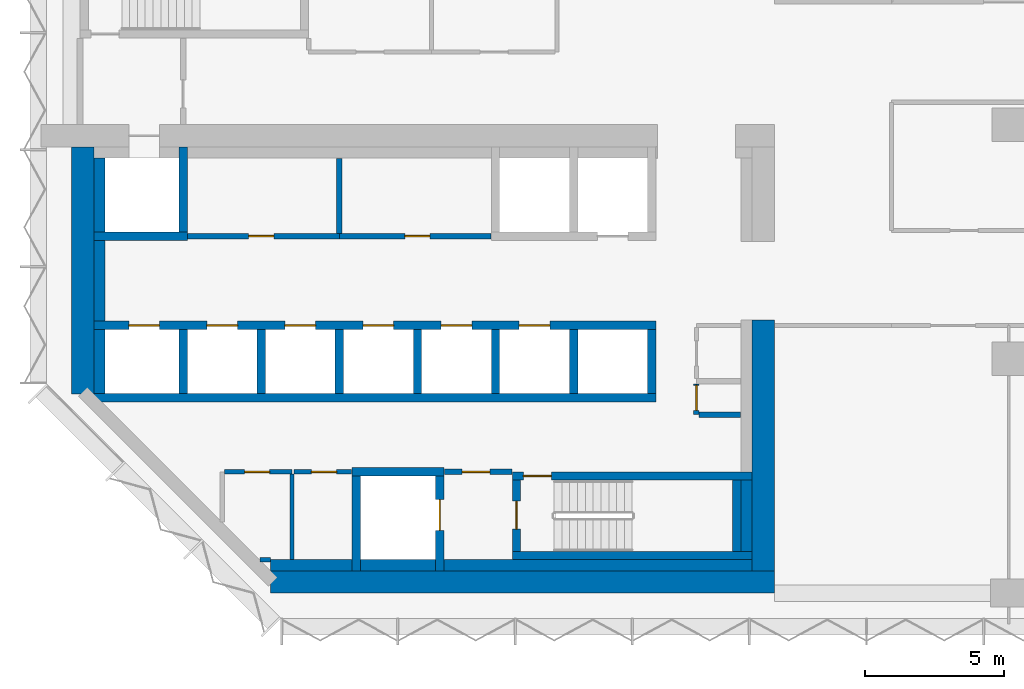
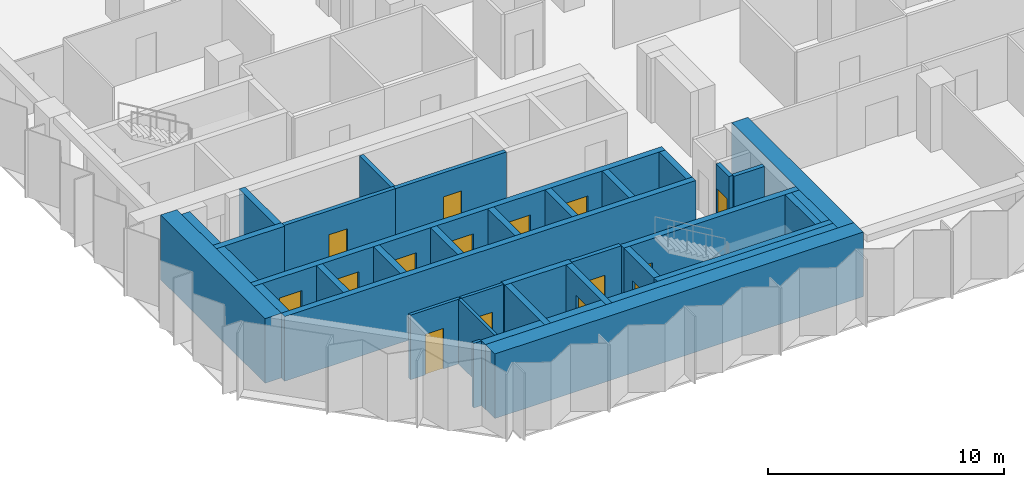
# One storey, part 7 of 13: 38 walls, 15 doors, 15 openings.
"""IFC4 building model written with IfcOpenShell, lengths in metres."""

from ifc_helpers import new_model, si_unit, direction, frame, frame_2d, origin, place, context, subcontext, project, spatial, rectangle, extrude, material, layer, layer_set, type_object, element, fill, save


model = new_model("IFC4")

# Units and contexts
model_context = context("Model", 3, precision=1e-05, world=origin(), true_north=direction((0.0, 1.0)))
body_context = subcontext(model_context, "Body", "Model", "MODEL_VIEW")
ifc_project = project(units=[si_unit("LENGTHUNIT", "METRE"), si_unit("AREAUNIT", "SQUARE_METRE"), si_unit("VOLUMEUNIT", "CUBIC_METRE"), si_unit("PLANEANGLEUNIT", "RADIAN"), si_unit("MASSUNIT", "GRAM", prefix="KILO")], contexts=[model_context])

# Site, building, storey
site_placement = place(None, origin())
site = spatial("IfcSite", under=ifc_project, at=site_placement, CompositionType="ELEMENT")
building_placement = place(site_placement, origin())
building = spatial("IfcBuilding", under=site, at=building_placement, Name="Brevane Broadcast Tower", CompositionType="ELEMENT")
storey_placement = place(building_placement, frame((0.0, 0.0, 91.699951171875)))
storey = spatial("IfcBuildingStorey", under=building, at=storey_placement, Name="L21", CompositionType="ELEMENT", Elevation=91.699951171875)

# Walls
ifc_material_1 = material(Name="Concrete C32/40", Category="concrete")
ifc_layer_1 = layer(ifc_material_1, 0.39990234375)
ifc_layer_set_1 = layer_set([ifc_layer_1], Name="Core chase wall 400 mm")
wall_type_1 = type_object("IfcWallType", Name="Core chase wall 400 mm", PredefinedType="PARTITIONING", material=ifc_layer_set_1)
wall_1_placement = place(storey_placement, frame((1.0, 7.14990234375, 0.0), z_axis=(0.0, 0.0, 1.0), x_axis=(0.0, 1.0, 0.0)))
element("IfcWall", 1, at=wall_1_placement, inside=storey, type_object=wall_type_1, Name="L21 chase wall LW-2-1", PredefinedType="PARTITIONING", context=body_context, shape_type="SweptSolid", body=[
    extrude(rectangle(XDim=2.300048828125, YDim=0.39990234375, at=frame_2d((1.14990234375, 0.0))), origin(), (0.0, 0.0, 1.0), 3.35009765625),
])
wall_2_placement = place(storey_placement, frame((1.0, 9.75, 0.0), z_axis=(0.0, 0.0, 1.0), x_axis=(0.0, 1.0, 0.0)))
element("IfcWall", 2, at=wall_2_placement, inside=storey, type_object=wall_type_1, Name="L21 chase wall LW-2-2-1", PredefinedType="PARTITIONING", context=body_context, shape_type="SweptSolid", body=[
    extrude(rectangle(XDim=2.89990234375, YDim=0.39990234375, at=frame_2d((1.449951171875, 0.0))), origin(), (0.0, 0.0, 1.0), 3.35009765625),
])
wall_3_placement = place(storey_placement, frame((1.0, 12.949951171875, 0.0), z_axis=(0.0, 0.0, 1.0), x_axis=(0.0, 1.0, 0.0)))
element("IfcWall", 3, at=wall_3_placement, inside=storey, type_object=wall_type_1, Name="L21 chase wall LW-2-2-2", PredefinedType="PARTITIONING", context=body_context, shape_type="SweptSolid", body=[
    extrude(rectangle(XDim=2.650146484375, YDim=0.39990234375, at=frame_2d((1.3251953125, 0.0))), origin(), (0.0, 0.0, 1.0), 3.35009765625),
])
wall_4_placement = place(storey_placement, frame((7.136474609375, 1.0, 0.0), z_axis=(0.0, 0.0, 1.0), x_axis=(1.0, 0.0, 0.0)))
element("IfcWall", 4, at=wall_4_placement, inside=storey, type_object=wall_type_1, Name="L21 chase wall LS-1", PredefinedType="PARTITIONING", context=body_context, shape_type="SweptSolid", body=[
    extrude(rectangle(XDim=2.91357421875, YDim=0.39990234375, at=frame_2d((1.456787109375, 0.0))), origin(), (0.0, 0.0, 1.0), 3.35009765625),
])
wall_5_placement = place(storey_placement, frame((10.35009765625, 1.0, 0.0), z_axis=(0.0, 0.0, 1.0), x_axis=(1.0, 0.0, 0.0)))
element("IfcWall", 5, at=wall_5_placement, inside=storey, type_object=wall_type_1, Name="L21 chase wall LS-2-1", PredefinedType="PARTITIONING", context=body_context, shape_type="SweptSolid", body=[
    extrude(rectangle(XDim=2.699951171875, YDim=0.39990234375, at=frame_2d((1.35009765625, 0.0))), origin(), (0.0, 0.0, 1.0), 3.35009765625),
])
wall_6_placement = place(storey_placement, frame((13.35009765625, 1.0, 0.0), z_axis=(0.0, 0.0, 1.0), x_axis=(1.0, 0.0, 0.0)))
element("IfcWall", 6, at=wall_6_placement, inside=storey, type_object=wall_type_1, Name="L21 chase wall LS-2-2", PredefinedType="PARTITIONING", context=body_context, shape_type="SweptSolid", body=[
    extrude(rectangle(XDim=11.0498046875, YDim=0.39990234375, at=frame_2d((5.52490234375, 0.0))), origin(), (0.0, 0.0, 1.0), 3.35009765625),
])
wall_7_placement = place(storey_placement, frame((24.199951171875, 1.5, 0.0), z_axis=(0.0, 0.0, 1.0), x_axis=(0.0, 1.0, 0.0)))
element("IfcWall", 7, at=wall_7_placement, inside=storey, type_object=wall_type_1, Name="L21 chase wall LE1-2-1", PredefinedType="PARTITIONING", context=body_context, shape_type="SweptSolid", body=[
    extrude(rectangle(XDim=2.550048828125, YDim=0.39990234375, at=frame_2d((1.27490234375, 0.0))), origin(), (0.0, 0.0, 1.0), 3.35009765625),
])

# Wall, opening, door
ifc_material_2 = material(Name="Gypsum board on steel studs", Category="steel")
ifc_layer_2 = layer(ifc_material_2, 0.14990234375)
ifc_layer_set_2 = layer_set([ifc_layer_2], Name="Core fire partition 150 mm")
wall_type_2 = type_object("IfcWallType", Name="Core fire partition 150 mm", PredefinedType="PARTITIONING", material=ifc_layer_set_2)
wall_8_placement = place(storey_placement, frame((5.47509765625, 4.35009765625, 0.0), z_axis=(0.0, 0.0, 1.0), x_axis=(1.0, 0.0, 0.0)))
wall_8 = element("IfcWall", 8, at=wall_8_placement, inside=storey, type_object=wall_type_2, Name="L21 partition wall P11", PredefinedType="PARTITIONING", context=body_context, shape_type="SweptSolid", body=[
    extrude(rectangle(XDim=2.4248046875, YDim=0.14990234375, at=frame_2d((1.21240234375, 0.0))), origin(), (0.0, 0.0, 1.0), 3.35009765625),
])
opening_1_placement = place(wall_8_placement, frame((0.72509765625, 0.0, 0.0)))
opening_1 = element("IfcOpeningElement", 9, at=opening_1_placement, cuts=wall_8, Name="Opening L21-K16", PredefinedType="OPENING", context=body_context, shape_type="SweptSolid", body=[
    extrude(rectangle(XDim=0.89990234375, YDim=2.10009765625, at=frame_2d((0.449951171875, 1.050048828125))), frame((0.0, 0.0849609375, 0.0), z_axis=(0.0, -1.0, 0.0), x_axis=(1.0, 0.0, 0.0)), (0.0, 0.0, 1.0), 0.169921875),
])
ifc_material_3 = material(Name="Timber", Category="wood")
door_type_1 = type_object("IfcDoorType", Name="Toilet door 900 x 2100", OperationType="SINGLE_SWING_LEFT", PredefinedType="DOOR", material=ifc_material_3)
door_1_placement = place(opening_1_placement, origin())
door_1 = element("IfcDoor", 10, at=door_1_placement, inside=storey, type_object=door_type_1, Name="Door L21-K16", OperationType="SINGLE_SWING_RIGHT", OverallHeight=2.10009765625, OverallWidth=0.89990234375, PredefinedType="DOOR", context=body_context, shape_type="SweptSolid", body=[
    extrude(rectangle(XDim=0.89990234375, YDim=2.10009765625, at=frame_2d((0.449951171875, 1.050048828125))), frame((0.0, 0.02490234375, 0.0), z_axis=(0.0, -1.0, 0.0), x_axis=(1.0, 0.0, 0.0)), (0.0, 0.0, 1.0), 0.050048828125),
])
fill(opening_1, door_1)

# Walls
wall_9_placement = place(storey_placement, frame((7.89990234375, 4.27490234375, 0.0), z_axis=(0.0, 0.0, 1.0), x_axis=(0.0, -1.0, 0.0)))
element("IfcWall", 11, at=wall_9_placement, inside=storey, type_object=wall_type_2, Name="L21 partition wall P12", PredefinedType="PARTITIONING", context=body_context, shape_type="SweptSolid", body=[
    extrude(rectangle(XDim=3.06298828125, YDim=0.14990234375, at=frame_2d((1.531494140625, 0.0))), origin(), (0.0, 0.0, 1.0), 3.35009765625),
])
wall_10_placement = place(storey_placement, frame((7.12451171875, 1.199951171875, 0.0), z_axis=(0.0, 0.0, 1.0), x_axis=(-1.0, 0.0, 0.0)))
element("IfcWall", 12, at=wall_10_placement, inside=storey, type_object=wall_type_2, Name="L21 partition wall P13", PredefinedType="PARTITIONING", context=body_context, shape_type="SweptSolid", body=[
    extrude(rectangle(XDim=0.37109375, YDim=0.14990234375, at=frame_2d((0.185546875, 0.0))), origin(), (0.0, 0.0, 1.0), 3.35009765625),
])

# Wall, opening, door
wall_11_placement = place(storey_placement, frame((10.0380859375, 4.35009765625, 0.0), z_axis=(0.0, 0.0, 1.0), x_axis=(-1.0, 0.0, 0.0)))
wall_11 = element("IfcWall", 13, at=wall_11_placement, inside=storey, type_object=wall_type_2, Name="L21 partition wall P14", PredefinedType="PARTITIONING", context=body_context, shape_type="SweptSolid", body=[
    extrude(rectangle(XDim=2.06298828125, YDim=0.14990234375, at=frame_2d((1.031494140625, 0.0))), origin(), (0.0, 0.0, 1.0), 3.35009765625),
])
opening_2_placement = place(wall_11_placement, frame((0.5380859375, 0.0, 0.0)))
opening_2 = element("IfcOpeningElement", 14, at=opening_2_placement, cuts=wall_11, Name="Opening L21-K17", PredefinedType="OPENING", context=body_context, shape_type="SweptSolid", body=[
    extrude(rectangle(XDim=0.89990234375, YDim=2.10009765625, at=frame_2d((0.449951171875, 1.050048828125))), frame((0.0, 0.0849609375, 0.0), z_axis=(0.0, -1.0, 0.0), x_axis=(1.0, 0.0, 0.0)), (0.0, 0.0, 1.0), 0.169921875),
])
door_2_placement = place(opening_2_placement, origin())
door_2 = element("IfcDoor", 15, at=door_2_placement, inside=storey, type_object=door_type_1, Name="Door L21-K17", OperationType="SINGLE_SWING_LEFT", OverallHeight=2.10009765625, OverallWidth=0.89990234375, PredefinedType="DOOR", context=body_context, shape_type="SweptSolid", body=[
    extrude(rectangle(XDim=0.89990234375, YDim=2.10009765625, at=frame_2d((0.449951171875, 1.050048828125))), frame((0.0, 0.02490234375, 0.0), z_axis=(0.0, -1.0, 0.0), x_axis=(1.0, 0.0, 0.0)), (0.0, 0.0, 1.0), 0.050048828125),
])
fill(opening_2, door_2)

ifc_layer_3 = layer(ifc_material_2, 0.199951171875)
ifc_layer_set_3 = layer_set([ifc_layer_3], Name="Core fire partition 200 mm")
wall_type_3 = type_object("IfcWallType", Name="Core fire partition 200 mm", PredefinedType="PARTITIONING", material=ifc_layer_set_3)
wall_12_placement = place(storey_placement, frame((13.362060546875, 4.35009765625, 0.0), z_axis=(0.0, 0.0, 1.0), x_axis=(1.0, 0.0, 0.0)))
wall_12 = element("IfcWall", 16, at=wall_12_placement, inside=storey, type_object=wall_type_3, Name="L21 partition wall P03", PredefinedType="PARTITIONING", context=body_context, shape_type="SweptSolid", body=[
    extrude(rectangle(XDim=2.426025390625, YDim=0.199951171875, at=frame_2d((1.212890625, 0.0))), origin(), (0.0, 0.0, 1.0), 3.35009765625),
])
opening_3_placement = place(wall_12_placement, frame((0.637939453125, 0.0, 0.0)))
opening_3 = element("IfcOpeningElement", 17, at=opening_3_placement, cuts=wall_12, Name="Opening L21-K18", PredefinedType="OPENING", context=body_context, shape_type="SweptSolid", body=[
    extrude(rectangle(XDim=1.0, YDim=2.10009765625, at=frame_2d((0.5, 1.050048828125))), frame((0.0, 0.10986328125, 0.0), z_axis=(0.0, -1.0, 0.0), x_axis=(1.0, 0.0, 0.0)), (0.0, 0.0, 1.0), 0.219970703125),
])
ifc_material_4 = material(Name="Steel", Category="steel")
door_type_2 = type_object("IfcDoorType", Name="Stair door 1000 x 2100", OperationType="SINGLE_SWING_LEFT", PredefinedType="DOOR", material=ifc_material_4)
door_3_placement = place(opening_3_placement, origin())
door_3 = element("IfcDoor", 18, at=door_3_placement, inside=storey, type_object=door_type_2, Name="Door L21-K18", OperationType="SINGLE_SWING_RIGHT", OverallHeight=2.10009765625, OverallWidth=1.0, PredefinedType="DOOR", context=body_context, shape_type="SweptSolid", body=[
    extrude(rectangle(XDim=1.0, YDim=2.10009765625, at=frame_2d((0.5, 1.050048828125))), frame((0.0, 0.02490234375, 0.0), z_axis=(0.0, -1.0, 0.0), x_axis=(1.0, 0.0, 0.0)), (0.0, 0.0, 1.0), 0.050048828125),
])
fill(opening_3, door_3)

wall_13_placement = place(storey_placement, frame((4.162109375, 12.800048828125, 0.0), z_axis=(0.0, 0.0, 1.0), x_axis=(1.0, 0.0, 0.0)))
wall_13 = element("IfcWall", 19, at=wall_13_placement, inside=storey, type_object=wall_type_3, Name="L21 partition wall P04", PredefinedType="PARTITIONING", context=body_context, shape_type="SweptSolid", body=[
    extrude(rectangle(XDim=5.43798828125, YDim=0.199951171875, at=frame_2d((2.718994140625, 0.0))), origin(), (0.0, 0.0, 1.0), 3.35009765625),
])
opening_4_placement = place(wall_13_placement, frame((2.18798828125, 0.0, 0.0)))
opening_4 = element("IfcOpeningElement", 20, at=opening_4_placement, cuts=wall_13, Name="Opening L21-K21", PredefinedType="OPENING", context=body_context, shape_type="SweptSolid", body=[
    extrude(rectangle(XDim=0.89990234375, YDim=2.10009765625, at=frame_2d((0.449951171875, 1.050048828125))), frame((0.0, 0.10986328125, 0.0), z_axis=(0.0, -1.0, 0.0), x_axis=(1.0, 0.0, 0.0)), (0.0, 0.0, 1.0), 0.219970703125),
])
door_type_3 = type_object("IfcDoorType", Name="Service room door 900 x 2100", OperationType="SINGLE_SWING_LEFT", PredefinedType="DOOR", material=ifc_material_4)
door_4_placement = place(opening_4_placement, origin())
door_4 = element("IfcDoor", 21, at=door_4_placement, inside=storey, type_object=door_type_3, Name="Door L21-K21", OperationType="SINGLE_SWING_LEFT", OverallHeight=2.10009765625, OverallWidth=0.89990234375, PredefinedType="DOOR", context=body_context, shape_type="SweptSolid", body=[
    extrude(rectangle(XDim=0.89990234375, YDim=2.10009765625, at=frame_2d((0.449951171875, 1.050048828125))), frame((0.0, 0.02490234375, 0.0), z_axis=(0.0, -1.0, 0.0), x_axis=(1.0, 0.0, 0.0)), (0.0, 0.0, 1.0), 0.050048828125),
])
fill(opening_4, door_4)

wall_14_placement = place(storey_placement, frame((9.60009765625, 12.800048828125, 0.0), z_axis=(0.0, 0.0, 1.0), x_axis=(1.0, 0.0, 0.0)))
wall_14 = element("IfcWall", 22, at=wall_14_placement, inside=storey, type_object=wall_type_3, Name="L21 partition wall P05", PredefinedType="PARTITIONING", context=body_context, shape_type="SweptSolid", body=[
    extrude(rectangle(XDim=5.43798828125, YDim=0.199951171875, at=frame_2d((2.718994140625, 0.0))), origin(), (0.0, 0.0, 1.0), 3.35009765625),
])
opening_5_placement = place(wall_14_placement, frame((2.35009765625, 0.0, 0.0)))
opening_5 = element("IfcOpeningElement", 23, at=opening_5_placement, cuts=wall_14, Name="Opening L21-K22", PredefinedType="OPENING", context=body_context, shape_type="SweptSolid", body=[
    extrude(rectangle(XDim=0.89990234375, YDim=2.10009765625, at=frame_2d((0.449951171875, 1.050048828125))), frame((0.0, 0.10986328125, 0.0), z_axis=(0.0, -1.0, 0.0), x_axis=(1.0, 0.0, 0.0)), (0.0, 0.0, 1.0), 0.219970703125),
])
door_5_placement = place(opening_5_placement, origin())
door_5 = element("IfcDoor", 24, at=door_5_placement, inside=storey, type_object=door_type_3, Name="Door L21-K22", OperationType="SINGLE_SWING_RIGHT", OverallHeight=2.10009765625, OverallWidth=0.89990234375, PredefinedType="DOOR", context=body_context, shape_type="SweptSolid", body=[
    extrude(rectangle(XDim=0.89990234375, YDim=2.10009765625, at=frame_2d((0.449951171875, 1.050048828125))), frame((0.0, 0.02490234375, 0.0), z_axis=(0.0, -1.0, 0.0), x_axis=(1.0, 0.0, 0.0)), (0.0, 0.0, 1.0), 0.050048828125),
])
fill(opening_5, door_5)

# Wall
wall_15_placement = place(storey_placement, frame((9.60009765625, 15.587890625, 0.0), z_axis=(0.0, 0.0, 1.0), x_axis=(0.0, -1.0, 0.0)))
element("IfcWall", 25, at=wall_15_placement, inside=storey, type_object=wall_type_3, Name="L21 partition wall P06", PredefinedType="PARTITIONING", context=body_context, shape_type="SweptSolid", body=[
    extrude(rectangle(XDim=2.68798828125, YDim=0.199951171875, at=frame_2d((1.343994140625, 0.0))), origin(), (0.0, 0.0, 1.0), 3.35009765625),
])

# Wall, opening, door
wall_16_placement = place(storey_placement, frame((22.39990234375, 7.5, 0.0), z_axis=(0.0, 0.0, 1.0), x_axis=(0.0, -1.0, 0.0)))
wall_16 = element("IfcWall", 26, at=wall_16_placement, inside=storey, type_object=wall_type_3, Name="L21 partition wall P08", PredefinedType="PARTITIONING", context=body_context, shape_type="SweptSolid", body=[
    extrude(rectangle(XDim=1.10009765625, YDim=0.199951171875, at=frame_2d((0.550048828125, 0.0))), origin(), (0.0, 0.0, 1.0), 3.35009765625),
])
opening_6_placement = place(wall_16_placement, frame((0.050048828125, 0.0, 0.0)))
opening_6 = element("IfcOpeningElement", 27, at=opening_6_placement, cuts=wall_16, Name="Opening L21-K19", PredefinedType="OPENING", context=body_context, shape_type="SweptSolid", body=[
    extrude(rectangle(XDim=0.89990234375, YDim=2.10009765625, at=frame_2d((0.449951171875, 1.050048828125))), frame((0.0, 0.10986328125, 0.0), z_axis=(0.0, -1.0, 0.0), x_axis=(1.0, 0.0, 0.0)), (0.0, 0.0, 1.0), 0.219970703125),
])
door_6_placement = place(opening_6_placement, origin())
door_6 = element("IfcDoor", 28, at=door_6_placement, inside=storey, type_object=door_type_3, Name="Door L21-K19", OperationType="SINGLE_SWING_LEFT", OverallHeight=2.10009765625, OverallWidth=0.89990234375, PredefinedType="DOOR", context=body_context, shape_type="SweptSolid", body=[
    extrude(rectangle(XDim=0.89990234375, YDim=2.10009765625, at=frame_2d((0.449951171875, 1.050048828125))), frame((0.0, 0.02490234375, 0.0), z_axis=(0.0, -1.0, 0.0), x_axis=(1.0, 0.0, 0.0)), (0.0, 0.0, 1.0), 0.050048828125),
])
fill(opening_6, door_6)

# Walls
wall_17_placement = place(storey_placement, frame((22.5, 6.39990234375, 0.0), z_axis=(0.0, 0.0, 1.0), x_axis=(1.0, 0.0, 0.0)))
element("IfcWall", 29, at=wall_17_placement, inside=storey, type_object=wall_type_3, Name="L21 partition wall P09", PredefinedType="PARTITIONING", context=body_context, shape_type="SweptSolid", body=[
    extrude(rectangle(XDim=1.488037109375, YDim=0.199951171875, at=frame_2d((0.744140625, 0.0))), origin(), (0.0, 0.0, 1.0), 3.35009765625),
])
ifc_material_5 = material(Name="Concrete C60/75", Category="concrete")
ifc_layer_4 = layer(ifc_material_5, 0.300048828125)
ifc_layer_set_4 = layer_set([ifc_layer_4], Name="Core wall 300 mm C60/75")
wall_type_4 = type_object("IfcWallType", Name="Core wall 300 mm C60/75", PredefinedType="SHEAR", material=ifc_layer_set_4)
wall_18_placement = place(storey_placement, frame((0.800048828125, 7.0, 0.0), z_axis=(0.0, 0.0, 1.0), x_axis=(1.0, 0.0, 0.0)))
element("IfcWall", 30, at=wall_18_placement, inside=storey, type_object=wall_type_4, Name="L21 shaft wall SH-S012-back", PredefinedType="SHEAR", context=body_context, shape_type="SweptSolid", body=[
    extrude(rectangle(XDim=20.14990234375, YDim=0.300048828125, at=frame_2d((10.074951171875, 0.0))), origin(), (0.0, 0.0, 1.0), 3.35009765625),
])

# Wall, openings, doors
wall_19_placement = place(storey_placement, frame((0.800048828125, 9.60009765625, 0.0), z_axis=(0.0, 0.0, 1.0), x_axis=(1.0, 0.0, 0.0)))
wall_19 = element("IfcWall", 31, at=wall_19_placement, inside=storey, type_object=wall_type_4, Name="L21 shaft wall SH-S012-front", PredefinedType="SHEAR", context=body_context, shape_type="SweptSolid", body=[
    extrude(rectangle(XDim=20.14990234375, YDim=0.300048828125, at=frame_2d((10.074951171875, 0.0))), origin(), (0.0, 0.0, 1.0), 3.35009765625),
])
opening_7_placement = place(wall_19_placement, frame((1.25, 0.0, 0.0)))
opening_7 = element("IfcOpeningElement", 32, at=opening_7_placement, cuts=wall_19, Name="Opening LD", PredefinedType="OPENING", context=body_context, shape_type="SweptSolid", body=[
    extrude(rectangle(XDim=1.10009765625, YDim=2.300048828125, at=frame_2d((0.550048828125, 1.14990234375))), frame((0.0, 0.159912109375, 0.0), z_axis=(0.0, -1.0, 0.0), x_axis=(1.0, 0.0, 0.0)), (0.0, 0.0, 1.0), 0.320068359375),
])
opening_8_placement = place(wall_19_placement, frame((4.050048828125, 0.0, 0.0)))
opening_8 = element("IfcOpeningElement", 33, at=opening_8_placement, cuts=wall_19, Name="Opening LD", PredefinedType="OPENING", context=body_context, shape_type="SweptSolid", body=[
    extrude(rectangle(XDim=1.10009765625, YDim=2.300048828125, at=frame_2d((0.550048828125, 1.14990234375))), frame((0.0, 0.159912109375, 0.0), z_axis=(0.0, -1.0, 0.0), x_axis=(1.0, 0.0, 0.0)), (0.0, 0.0, 1.0), 0.320068359375),
])
opening_9_placement = place(wall_19_placement, frame((6.85009765625, 0.0, 0.0)))
opening_9 = element("IfcOpeningElement", 34, at=opening_9_placement, cuts=wall_19, Name="Opening LD", PredefinedType="OPENING", context=body_context, shape_type="SweptSolid", body=[
    extrude(rectangle(XDim=1.10009765625, YDim=2.300048828125, at=frame_2d((0.550048828125, 1.14990234375))), frame((0.0, 0.159912109375, 0.0), z_axis=(0.0, -1.0, 0.0), x_axis=(1.0, 0.0, 0.0)), (0.0, 0.0, 1.0), 0.320068359375),
])
opening_10_placement = place(wall_19_placement, frame((9.64990234375, 0.0, 0.0)))
opening_10 = element("IfcOpeningElement", 35, at=opening_10_placement, cuts=wall_19, Name="Opening LD", PredefinedType="OPENING", context=body_context, shape_type="SweptSolid", body=[
    extrude(rectangle(XDim=1.10009765625, YDim=2.300048828125, at=frame_2d((0.550048828125, 1.14990234375))), frame((0.0, 0.159912109375, 0.0), z_axis=(0.0, -1.0, 0.0), x_axis=(1.0, 0.0, 0.0)), (0.0, 0.0, 1.0), 0.320068359375),
])
opening_11_placement = place(wall_19_placement, frame((12.449951171875, 0.0, 0.0)))
opening_11 = element("IfcOpeningElement", 36, at=opening_11_placement, cuts=wall_19, Name="Opening LD", PredefinedType="OPENING", context=body_context, shape_type="SweptSolid", body=[
    extrude(rectangle(XDim=1.10009765625, YDim=2.300048828125, at=frame_2d((0.550048828125, 1.14990234375))), frame((0.0, 0.159912109375, 0.0), z_axis=(0.0, -1.0, 0.0), x_axis=(1.0, 0.0, 0.0)), (0.0, 0.0, 1.0), 0.320068359375),
])
opening_12_placement = place(wall_19_placement, frame((15.25, 0.0, 0.0)))
opening_12 = element("IfcOpeningElement", 37, at=opening_12_placement, cuts=wall_19, Name="Opening LD", PredefinedType="OPENING", context=body_context, shape_type="SweptSolid", body=[
    extrude(rectangle(XDim=1.10009765625, YDim=2.300048828125, at=frame_2d((0.550048828125, 1.14990234375))), frame((0.0, 0.159912109375, 0.0), z_axis=(0.0, -1.0, 0.0), x_axis=(1.0, 0.0, 0.0)), (0.0, 0.0, 1.0), 0.320068359375),
])
ifc_material_6 = material(Name="Stainless steel", Category="steel")
door_type_4 = type_object("IfcDoorType", Name="Lift landing door", OperationType="SLIDING_TO_LEFT", PredefinedType="DOOR", material=ifc_material_6)
door_7_placement = place(opening_7_placement, origin())
door_7 = element("IfcDoor", 38, at=door_7_placement, inside=storey, type_object=door_type_4, Name="Landing door LR1 L21", OperationType="SLIDING_TO_LEFT", OverallHeight=2.300048828125, OverallWidth=1.10009765625, PredefinedType="DOOR", context=body_context, shape_type="SweptSolid", body=[
    extrude(rectangle(XDim=1.10009765625, YDim=2.300048828125, at=frame_2d((0.550048828125, 1.14990234375))), frame((0.0, 0.02490234375, 0.0), z_axis=(0.0, -1.0, 0.0), x_axis=(1.0, 0.0, 0.0)), (0.0, 0.0, 1.0), 0.050048828125),
])
fill(opening_7, door_7)
door_8_placement = place(opening_8_placement, origin())
door_8 = element("IfcDoor", 39, at=door_8_placement, inside=storey, type_object=door_type_4, Name="Landing door LR2 L21", OperationType="SLIDING_TO_LEFT", OverallHeight=2.300048828125, OverallWidth=1.10009765625, PredefinedType="DOOR", context=body_context, shape_type="SweptSolid", body=[
    extrude(rectangle(XDim=1.10009765625, YDim=2.300048828125, at=frame_2d((0.550048828125, 1.14990234375))), frame((0.0, 0.02490234375, 0.0), z_axis=(0.0, -1.0, 0.0), x_axis=(1.0, 0.0, 0.0)), (0.0, 0.0, 1.0), 0.050048828125),
])
fill(opening_8, door_8)
door_9_placement = place(opening_9_placement, origin())
door_9 = element("IfcDoor", 40, at=door_9_placement, inside=storey, type_object=door_type_4, Name="Landing door LR3 L21", OperationType="SLIDING_TO_LEFT", OverallHeight=2.300048828125, OverallWidth=1.10009765625, PredefinedType="DOOR", context=body_context, shape_type="SweptSolid", body=[
    extrude(rectangle(XDim=1.10009765625, YDim=2.300048828125, at=frame_2d((0.550048828125, 1.14990234375))), frame((0.0, 0.02490234375, 0.0), z_axis=(0.0, -1.0, 0.0), x_axis=(1.0, 0.0, 0.0)), (0.0, 0.0, 1.0), 0.050048828125),
])
fill(opening_9, door_9)
door_10_placement = place(opening_10_placement, origin())
door_10 = element("IfcDoor", 41, at=door_10_placement, inside=storey, type_object=door_type_4, Name="Landing door LR4 L21", OperationType="SLIDING_TO_LEFT", OverallHeight=2.300048828125, OverallWidth=1.10009765625, PredefinedType="DOOR", context=body_context, shape_type="SweptSolid", body=[
    extrude(rectangle(XDim=1.10009765625, YDim=2.300048828125, at=frame_2d((0.550048828125, 1.14990234375))), frame((0.0, 0.02490234375, 0.0), z_axis=(0.0, -1.0, 0.0), x_axis=(1.0, 0.0, 0.0)), (0.0, 0.0, 1.0), 0.050048828125),
])
fill(opening_10, door_10)
door_11_placement = place(opening_11_placement, origin())
door_11 = element("IfcDoor", 42, at=door_11_placement, inside=storey, type_object=door_type_4, Name="Landing door LR5 L21", OperationType="SLIDING_TO_LEFT", OverallHeight=2.300048828125, OverallWidth=1.10009765625, PredefinedType="DOOR", context=body_context, shape_type="SweptSolid", body=[
    extrude(rectangle(XDim=1.10009765625, YDim=2.300048828125, at=frame_2d((0.550048828125, 1.14990234375))), frame((0.0, 0.02490234375, 0.0), z_axis=(0.0, -1.0, 0.0), x_axis=(1.0, 0.0, 0.0)), (0.0, 0.0, 1.0), 0.050048828125),
])
fill(opening_11, door_11)
door_12_placement = place(opening_12_placement, origin())
door_12 = element("IfcDoor", 43, at=door_12_placement, inside=storey, type_object=door_type_4, Name="Landing door LR6 L21", OperationType="SLIDING_TO_LEFT", OverallHeight=2.300048828125, OverallWidth=1.10009765625, PredefinedType="DOOR", context=body_context, shape_type="SweptSolid", body=[
    extrude(rectangle(XDim=1.10009765625, YDim=2.300048828125, at=frame_2d((0.550048828125, 1.14990234375))), frame((0.0, 0.02490234375, 0.0), z_axis=(0.0, -1.0, 0.0), x_axis=(1.0, 0.0, 0.0)), (0.0, 0.0, 1.0), 0.050048828125),
])
fill(opening_12, door_12)

# Walls
for number, where, z_axis, x_axis, name in (
    (44, (4.0, 7.14990234375, 0.0), (0.0, 0.0, 1.0), (0.0, 1.0, 0.0), "L21 shaft wall SH-S-P040"),
    (45, (6.800048828125, 7.14990234375, 0.0), (0.0, 0.0, 1.0), (0.0, 1.0, 0.0), "L21 shaft wall SH-S-P068"),
    (46, (9.60009765625, 7.14990234375, 0.0), (0.0, 0.0, 1.0), (0.0, 1.0, 0.0), "L21 shaft wall SH-S-P096"),
    (47, (12.39990234375, 7.14990234375, 0.0), (0.0, 0.0, 1.0), (0.0, 1.0, 0.0), "L21 shaft wall SH-S-P124"),
    (48, (15.199951171875, 7.14990234375, 0.0), (0.0, 0.0, 1.0), (0.0, 1.0, 0.0), "L21 shaft wall SH-S-P152"),
    (49, (18.0, 7.14990234375, 0.0), (0.0, 0.0, 1.0), (0.0, 1.0, 0.0), "L21 shaft wall SH-S-P180"),
    (50, (20.800048828125, 7.14990234375, 0.0), (0.0, 0.0, 1.0), (0.0, 1.0, 0.0), "L21 shaft wall SH-S-P208"),
):
    element("IfcWall", number, at=place(storey_placement, frame(where, z_axis=z_axis, x_axis=x_axis)), inside=storey, type_object=wall_type_4, Name=name, PredefinedType="SHEAR", context=body_context, shape_type="SweptSolid", body=[
        extrude(rectangle(XDim=2.300048828125, YDim=0.300048828125, at=frame_2d((1.14990234375, 0.0))), origin(), (0.0, 0.0, 1.0), 3.35009765625),
    ])
wall_20_placement = place(storey_placement, frame((0.800048828125, 12.800048828125, 0.0), z_axis=(0.0, 0.0, 1.0), x_axis=(1.0, 0.0, 0.0)))
element("IfcWall", 51, at=wall_20_placement, inside=storey, type_object=wall_type_4, Name="L21 shaft wall SH-N012-front", PredefinedType="SHEAR", context=body_context, shape_type="SweptSolid", body=[
    extrude(rectangle(XDim=3.349853515625, YDim=0.300048828125, at=frame_2d((1.6748046875, 0.0))), origin(), (0.0, 0.0, 1.0), 3.35009765625),
])
wall_21_placement = place(storey_placement, frame((4.0, 12.949951171875, 0.0), z_axis=(0.0, 0.0, 1.0), x_axis=(0.0, 1.0, 0.0)))
element("IfcWall", 52, at=wall_21_placement, inside=storey, type_object=wall_type_4, Name="L21 shaft wall SH-N-P040", PredefinedType="SHEAR", context=body_context, shape_type="SweptSolid", body=[
    extrude(rectangle(XDim=3.050048828125, YDim=0.300048828125, at=frame_2d((1.52490234375, 0.0))), origin(), (0.0, 0.0, 1.0), 3.35009765625),
])
wall_22_placement = place(storey_placement, frame((10.199951171875, 0.800048828125, 0.0), z_axis=(0.0, 0.0, 1.0), x_axis=(0.0, 1.0, 0.0)))
element("IfcWall", 53, at=wall_22_placement, inside=storey, type_object=wall_type_4, Name="L21 shaft wall FF2-W", PredefinedType="SHEAR", context=body_context, shape_type="SweptSolid", body=[
    extrude(rectangle(XDim=3.39990234375, YDim=0.300048828125, at=frame_2d((1.699951171875, 0.0))), origin(), (0.0, 0.0, 1.0), 3.35009765625),
])

# Wall, opening, door
wall_23_placement = place(storey_placement, frame((13.199951171875, 0.800048828125, 0.0), z_axis=(0.0, 0.0, 1.0), x_axis=(0.0, 1.0, 0.0)))
wall_23 = element("IfcWall", 54, at=wall_23_placement, inside=storey, type_object=wall_type_4, Name="L21 shaft wall FF2-E", PredefinedType="SHEAR", context=body_context, shape_type="SweptSolid", body=[
    extrude(rectangle(XDim=3.39990234375, YDim=0.300048828125, at=frame_2d((1.699951171875, 0.0))), origin(), (0.0, 0.0, 1.0), 3.35009765625),
])
opening_13_placement = place(wall_23_placement, frame((1.449951171875, 0.0, 0.0)))
opening_13 = element("IfcOpeningElement", 55, at=opening_13_placement, cuts=wall_23, Name="Opening LD", PredefinedType="OPENING", context=body_context, shape_type="SweptSolid", body=[
    extrude(rectangle(XDim=1.10009765625, YDim=2.300048828125, at=frame_2d((0.550048828125, 1.14990234375))), frame((0.0, 0.159912109375, 0.0), z_axis=(0.0, -1.0, 0.0), x_axis=(1.0, 0.0, 0.0)), (0.0, 0.0, 1.0), 0.320068359375),
])
door_13_placement = place(opening_13_placement, origin())
door_13 = element("IfcDoor", 56, at=door_13_placement, inside=storey, type_object=door_type_4, Name="Landing door FF2 L21", OperationType="SLIDING_TO_LEFT", OverallHeight=2.300048828125, OverallWidth=1.10009765625, PredefinedType="DOOR", context=body_context, shape_type="SweptSolid", body=[
    extrude(rectangle(XDim=1.10009765625, YDim=2.300048828125, at=frame_2d((0.550048828125, 1.14990234375))), frame((0.0, 0.02490234375, 0.0), z_axis=(0.0, -1.0, 0.0), x_axis=(1.0, 0.0, 0.0)), (0.0, 0.0, 1.0), 0.050048828125),
])
fill(opening_13, door_13)

# Walls
wall_24_placement = place(storey_placement, frame((10.050048828125, 4.35009765625, 0.0), z_axis=(0.0, 0.0, 1.0), x_axis=(1.0, 0.0, 0.0)))
element("IfcWall", 57, at=wall_24_placement, inside=storey, type_object=wall_type_4, Name="L21 shaft wall FF2-N", PredefinedType="SHEAR", context=body_context, shape_type="SweptSolid", body=[
    extrude(rectangle(XDim=3.300048828125, YDim=0.300048828125, at=frame_2d((1.64990234375, 0.0))), origin(), (0.0, 0.0, 1.0), 3.35009765625),
])
wall_25_placement = place(storey_placement, frame((15.800048828125, 1.35009765625, 0.0), z_axis=(0.0, 0.0, 1.0), x_axis=(1.0, 0.0, 0.0)))
element("IfcWall", 58, at=wall_25_placement, inside=storey, type_object=wall_type_4, Name="L21 stair wall ST-2-S", PredefinedType="SHEAR", context=body_context, shape_type="SweptSolid", body=[
    extrude(rectangle(XDim=8.599853515625, YDim=0.300048828125, at=frame_2d((4.2998046875, 0.0))), origin(), (0.0, 0.0, 1.0), 3.35009765625),
])

# Wall, opening, door
wall_26_placement = place(storey_placement, frame((15.800048828125, 4.199951171875, 0.0), z_axis=(0.0, 0.0, 1.0), x_axis=(1.0, 0.0, 0.0)))
wall_26 = element("IfcWall", 59, at=wall_26_placement, inside=storey, type_object=wall_type_4, Name="L21 stair wall ST-2-N", PredefinedType="SHEAR", context=body_context, shape_type="SweptSolid", body=[
    extrude(rectangle(XDim=8.599853515625, YDim=0.300048828125, at=frame_2d((4.2998046875, 0.0))), origin(), (0.0, 0.0, 1.0), 3.35009765625),
])
opening_14_placement = place(wall_26_placement, frame((0.39990234375, 0.0, 0.0)))
opening_14 = element("IfcOpeningElement", 60, at=opening_14_placement, cuts=wall_26, Name="Opening L21-K13", PredefinedType="OPENING", context=body_context, shape_type="SweptSolid", body=[
    extrude(rectangle(XDim=1.0, YDim=2.10009765625, at=frame_2d((0.5, 1.050048828125))), frame((0.0, 0.159912109375, 0.0), z_axis=(0.0, -1.0, 0.0), x_axis=(1.0, 0.0, 0.0)), (0.0, 0.0, 1.0), 0.320068359375),
])
door_14_placement = place(opening_14_placement, origin())
door_14 = element("IfcDoor", 61, at=door_14_placement, inside=storey, type_object=door_type_2, Name="Door L21-K13", OperationType="SINGLE_SWING_LEFT", OverallHeight=2.10009765625, OverallWidth=1.0, PredefinedType="DOOR", context=body_context, shape_type="SweptSolid", body=[
    extrude(rectangle(XDim=1.0, YDim=2.10009765625, at=frame_2d((0.5, 1.050048828125))), frame((0.0, 0.02490234375, 0.0), z_axis=(0.0, -1.0, 0.0), x_axis=(1.0, 0.0, 0.0)), (0.0, 0.0, 1.0), 0.050048828125),
])
fill(opening_14, door_14)

wall_27_placement = place(storey_placement, frame((15.949951171875, 1.5, 0.0), z_axis=(0.0, 0.0, 1.0), x_axis=(0.0, 1.0, 0.0)))
wall_27 = element("IfcWall", 62, at=wall_27_placement, inside=storey, type_object=wall_type_4, Name="L21 stair wall ST-2-W", PredefinedType="SHEAR", context=body_context, shape_type="SweptSolid", body=[
    extrude(rectangle(XDim=2.550048828125, YDim=0.300048828125, at=frame_2d((1.27490234375, 0.0))), origin(), (0.0, 0.0, 1.0), 3.35009765625),
])
opening_15_placement = place(wall_27_placement, frame((0.800048828125, 0.0, 0.0)))
opening_15 = element("IfcOpeningElement", 63, at=opening_15_placement, cuts=wall_27, Name="Opening L21-K12", PredefinedType="OPENING", context=body_context, shape_type="SweptSolid", body=[
    extrude(rectangle(XDim=1.0, YDim=2.10009765625, at=frame_2d((0.5, 1.050048828125))), frame((0.0, 0.159912109375, 0.0), z_axis=(0.0, -1.0, 0.0), x_axis=(1.0, 0.0, 0.0)), (0.0, 0.0, 1.0), 0.320068359375),
])
door_15_placement = place(opening_15_placement, origin())
door_15 = element("IfcDoor", 64, at=door_15_placement, inside=storey, type_object=door_type_2, Name="Door L21-K12", OperationType="SINGLE_SWING_RIGHT", OverallHeight=2.10009765625, OverallWidth=1.0, PredefinedType="DOOR", context=body_context, shape_type="SweptSolid", body=[
    extrude(rectangle(XDim=1.0, YDim=2.10009765625, at=frame_2d((0.5, 1.050048828125))), frame((0.0, 0.02490234375, 0.0), z_axis=(0.0, -1.0, 0.0), x_axis=(1.0, 0.0, 0.0)), (0.0, 0.0, 1.0), 0.050048828125),
])
fill(opening_15, door_15)

# Walls
wall_28_placement = place(storey_placement, frame((23.85009765625, 1.5, 0.0), z_axis=(0.0, 0.0, 1.0), x_axis=(0.0, 1.0, 0.0)))
element("IfcWall", 65, at=wall_28_placement, inside=storey, type_object=wall_type_4, Name="L21 stair wall ST-2-E", PredefinedType="SHEAR", context=body_context, shape_type="SweptSolid", body=[
    extrude(rectangle(XDim=2.550048828125, YDim=0.300048828125, at=frame_2d((1.27490234375, 0.0))), origin(), (0.0, 0.0, 1.0), 3.35009765625),
])
ifc_layer_5 = layer(ifc_material_5, 0.800048828125)
ifc_layer_set_5 = layer_set([ifc_layer_5], Name="Core wall 800 mm C60/75")
wall_type_5 = type_object("IfcWallType", Name="Core wall 800 mm C60/75", PredefinedType="SHEAR", material=ifc_layer_set_5)
wall_29_placement = place(storey_placement, frame((7.136474609375, 0.39990234375, 0.0), z_axis=(0.0, 0.0, 1.0), x_axis=(1.0, 0.0, 0.0)))
element("IfcWall", 66, at=wall_29_placement, inside=storey, type_object=wall_type_5, Name="L21 outer wall WS", PredefinedType="SHEAR", context=body_context, shape_type="SweptSolid", body=[
    extrude(rectangle(XDim=18.0634765625, YDim=0.800048828125, at=frame_2d((9.03173828125, 0.0))), origin(), (0.0, 0.0, 1.0), 3.35009765625),
])
wall_30_placement = place(storey_placement, frame((0.39990234375, 7.136474609375, 0.0), z_axis=(0.0, 0.0, 1.0), x_axis=(0.0, 1.0, 0.0)))
element("IfcWall", 67, at=wall_30_placement, inside=storey, type_object=wall_type_5, Name="L21 outer wall WW", PredefinedType="SHEAR", context=body_context, shape_type="SweptSolid", body=[
    extrude(rectangle(XDim=8.863525390625, YDim=0.800048828125, at=frame_2d((4.431640625, 0.0))), origin(), (0.0, 0.0, 1.0), 3.35009765625),
])
wall_31_placement = place(storey_placement, frame((24.800048828125, 0.800048828125, 0.0), z_axis=(0.0, 0.0, 1.0), x_axis=(0.0, 1.0, 0.0)))
element("IfcWall", 68, at=wall_31_placement, inside=storey, type_object=wall_type_5, Name="L21 outer wall WE1", PredefinedType="SHEAR", context=body_context, shape_type="SweptSolid", body=[
    extrude(rectangle(XDim=9.0, YDim=0.800048828125, at=frame_2d((4.5, 0.0))), origin(), (0.0, 0.0, 1.0), 3.35009765625),
])

save(model, "model.ifc")
